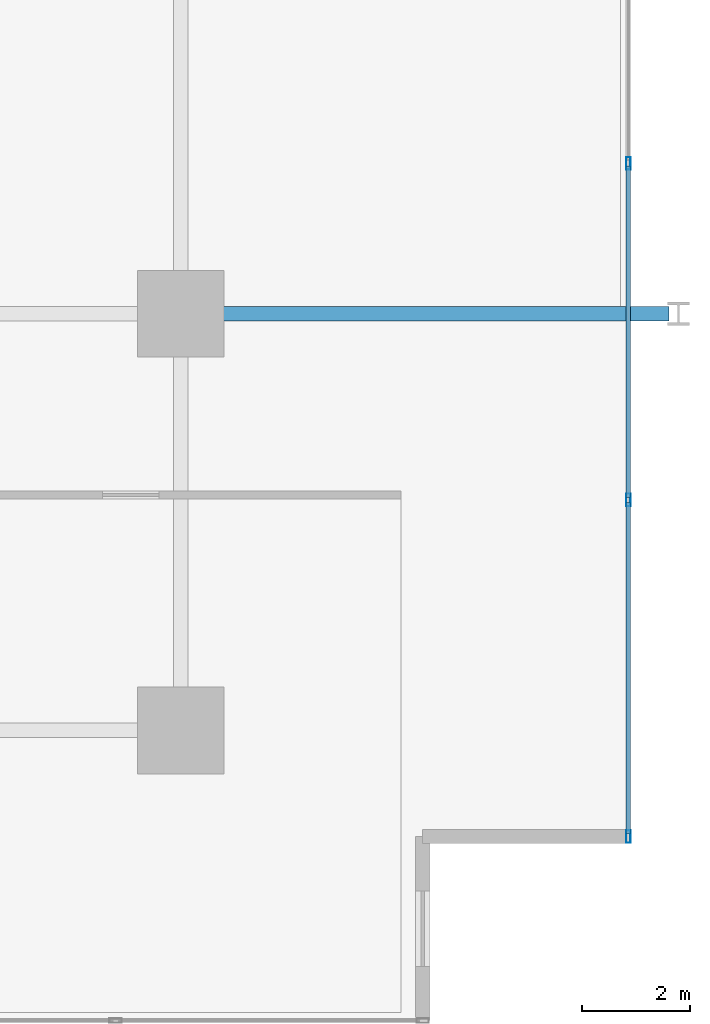
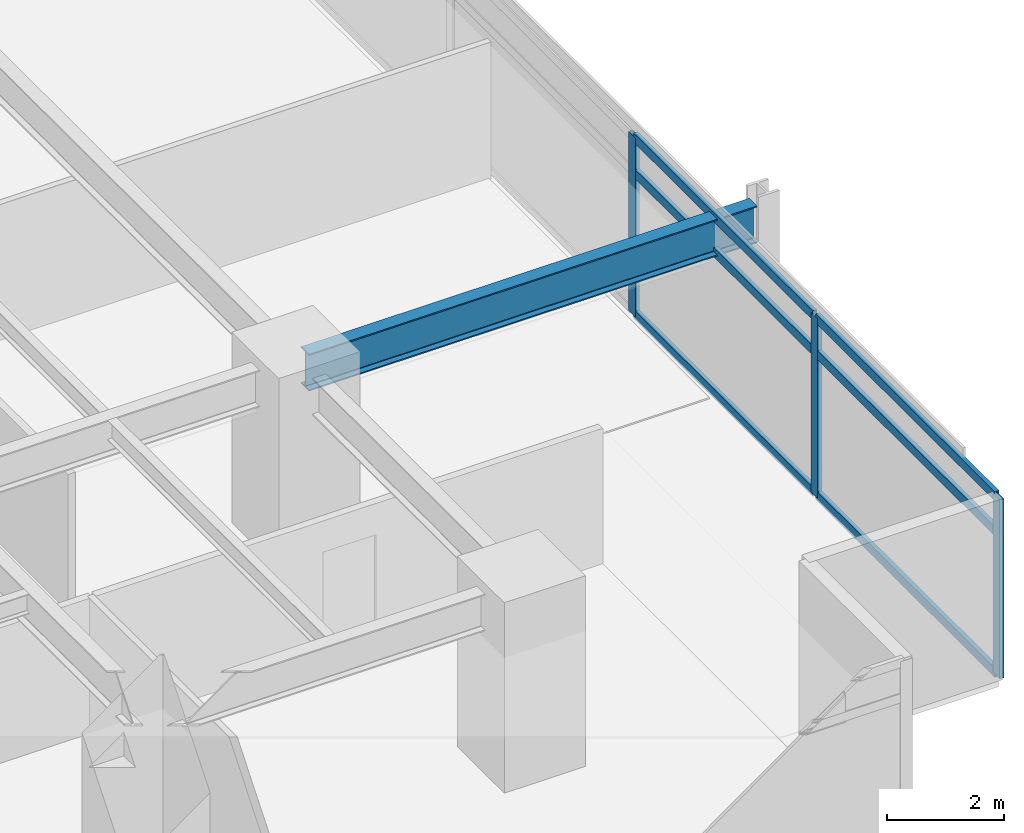
# One storey, part 7 of 20: 9 members, 1 beam, 1 element without a shape of its own.
"""IFC4 building model written with IfcOpenShell, lengths in metres."""

from ifc_helpers import new_model, si_unit, direction, frame, origin, origin_2d, place, context, subcontext, project, spatial, hollow_rectangle, i_section, extrude, material, material_profile, profile_set, type_object, element, aggregate, save


model = new_model("IFC4")

# Units and contexts
model_context = context("Model", 3, precision=1e-05, world=origin(), true_north=direction((0.0, 1.0)))
body_context = subcontext(model_context, "Body", "Model", "MODEL_VIEW")
ifc_project = project(units=[si_unit("LENGTHUNIT", "METRE"), si_unit("AREAUNIT", "SQUARE_METRE"), si_unit("VOLUMEUNIT", "CUBIC_METRE"), si_unit("PLANEANGLEUNIT", "RADIAN"), si_unit("MASSUNIT", "GRAM", prefix="KILO")], contexts=[model_context])

# Site, building, storey
site_placement = place(None, origin())
site = spatial("IfcSite", under=ifc_project, at=site_placement, CompositionType="ELEMENT")
building_placement = place(site_placement, origin())
building = spatial("IfcBuilding", under=site, at=building_placement, Name="Kovane Verandah Tower", CompositionType="ELEMENT")
storey_placement = place(building_placement, frame((0.0, 0.0, 160.39990234375)))
storey = spatial("IfcBuildingStorey", under=building, at=storey_placement, Name="L37", CompositionType="ELEMENT", Elevation=160.39990234375)

# Beam
ifc_material_1 = material(Name="Steel S355", Category="steel")
ifc_material_profile_1 = material_profile(ifc_material_1, i_section(OverallWidth=0.26806640625, OverallDepth=0.769775390625, WebThickness=0.015625, FlangeThickness=0.025390625, FilletRadius=0.0166015625, at=origin_2d()), Name="UB762x267x197")
ifc_profile_set_1 = profile_set([ifc_material_profile_1], Name="Steel S355")
beam_type = type_object("IfcBeamType", Name="BM-UB762x197", PredefinedType="BEAM", material=ifc_profile_set_1)
beam_placement = place(storey_placement, frame((58.580078125, 18.5, 3.375244140625), z_axis=(1.0, 0.0, 0.0), x_axis=(0.0, 1.0, 0.0)))
element("IfcBeam", 1, at=beam_placement, inside=storey, type_object=beam_type, Name="L37 Primary Tower Girder G-VE1", PredefinedType="BEAM", context=body_context, shape_type="SweptSolid", body=[
    extrude(i_section(OverallWidth=0.26806640625, OverallDepth=0.769775390625, WebThickness=0.015625, FlangeThickness=0.025390625, FilletRadius=0.0166015625, at=origin_2d()), origin(), (0.0, 0.0, 1.0), 8.83984375),
])

# Curtain wall, members
ifc_material_2 = material(Name="Champagne Anodised Aluminium Frame with Low-E Clear Laminated Glass", Category="aluminium")
curtain_wall_type = type_object("IfcCurtainWallType", Name="CW-SYS-03-MID", PredefinedType="NOTDEFINED", material=ifc_material_2)
curtain_wall_placement = place(storey_placement, origin())
curtain_wall = element("IfcCurtainWall", 2, at=curtain_wall_placement, inside=storey, type_object=curtain_wall_type, Name="L37 E Unitised Curtain Wall", PredefinedType="NOTDEFINED")
ifc_material_3 = material(Name="Champagne Anodised Aluminium 6063-T6", Category="aluminium")
ifc_material_profile_2 = material_profile(ifc_material_3, hollow_rectangle(XDim=0.0849609375, YDim=0.22998046875, WallThickness=0.00390625, at=origin_2d()), Name="AL85x230x4")
ifc_profile_set_2 = profile_set([ifc_material_profile_2], Name="Champagne Anodised Aluminium 6063-T6")
member_type_1 = type_object("IfcMemberType", Name="CW-MUL-85x230", PredefinedType="MULLION", material=ifc_profile_set_2)
member_1_placement = place(storey_placement, frame((66.67236328125, 8.838623046875, 0.02001953125), z_axis=(0.0, 0.0, 1.0), x_axis=(1.0, 0.0, 0.0)))
member_1 = element("IfcMember", 3, at=member_1_placement, type_object=member_type_1, Name="L37 E Unitised Curtain Wall Mullion 1", PredefinedType="MULLION", context=body_context, shape_type="SweptSolid", body=[
    extrude(hollow_rectangle(XDim=0.0849609375, YDim=0.22998046875, WallThickness=0.00390625, at=origin_2d()), origin(), (0.0, 0.0, 1.0), 3.735107421875),
])
member_2_placement = place(storey_placement, frame((66.67236328125, 15.05908203125, 0.02001953125), z_axis=(0.0, 0.0, 1.0), x_axis=(1.0, 0.0, 0.0)))
member_2 = element("IfcMember", 4, at=member_2_placement, type_object=member_type_1, Name="L37 E Unitised Curtain Wall Mullion 2", PredefinedType="MULLION", context=body_context, shape_type="SweptSolid", body=[
    extrude(hollow_rectangle(XDim=0.0849609375, YDim=0.22998046875, WallThickness=0.00390625, at=origin_2d()), origin(), (0.0, 0.0, 1.0), 3.735107421875),
])
member_3_placement = place(storey_placement, frame((66.67236328125, 21.279541015625, 0.02001953125), z_axis=(0.0, 0.0, 1.0), x_axis=(1.0, 0.0, 0.0)))
member_3 = element("IfcMember", 5, at=member_3_placement, type_object=member_type_1, Name="L37 E Unitised Curtain Wall Mullion 3", PredefinedType="MULLION", context=body_context, shape_type="SweptSolid", body=[
    extrude(hollow_rectangle(XDim=0.0849609375, YDim=0.22998046875, WallThickness=0.00390625, at=origin_2d()), origin(), (0.0, 0.0, 1.0), 3.735107421875),
])
ifc_material_profile_3 = material_profile(ifc_material_3, hollow_rectangle(XDim=0.0849609375, YDim=0.18994140625, WallThickness=0.00390625, at=origin_2d()), Name="AL85x190x4")
ifc_profile_set_3 = profile_set([ifc_material_profile_3], Name="Champagne Anodised Aluminium 6063-T6")
member_type_2 = type_object("IfcMemberType", Name="CW-TRN-85x190", PredefinedType="USERDEFINED", material=ifc_profile_set_3)
member_4_placement = place(storey_placement, frame((66.67236328125, 8.888671875, 0.050048828125), z_axis=(0.0, 1.0, 0.0), x_axis=(-1.0, 0.0, 0.0)))
member_4 = element("IfcMember", 6, at=member_4_placement, type_object=member_type_2, Name="L37 E Unitised Curtain Wall Transom TB Bay 1", ObjectType="TRANSOM", PredefinedType="USERDEFINED", context=body_context, shape_type="SweptSolid", body=[
    extrude(hollow_rectangle(XDim=0.0849609375, YDim=0.18994140625, WallThickness=0.00390625, at=origin_2d()), origin(), (0.0, 0.0, 1.0), 6.120361328125),
])
member_5_placement = place(storey_placement, frame((66.67236328125, 8.888671875, 2.9951171875), z_axis=(0.0, 1.0, 0.0), x_axis=(-1.0, 0.0, 0.0)))
member_5 = element("IfcMember", 7, at=member_5_placement, type_object=member_type_2, Name="L37 E Unitised Curtain Wall Transom TM Bay 1", ObjectType="TRANSOM", PredefinedType="USERDEFINED", context=body_context, shape_type="SweptSolid", body=[
    extrude(hollow_rectangle(XDim=0.0849609375, YDim=0.18994140625, WallThickness=0.00390625, at=origin_2d()), origin(), (0.0, 0.0, 1.0), 6.120361328125),
])
member_6_placement = place(storey_placement, frame((66.67236328125, 8.888671875, 3.72509765625), z_axis=(0.0, 1.0, 0.0), x_axis=(-1.0, 0.0, 0.0)))
member_6 = element("IfcMember", 8, at=member_6_placement, type_object=member_type_2, Name="L37 E Unitised Curtain Wall Transom TT Bay 1", ObjectType="TRANSOM", PredefinedType="USERDEFINED", context=body_context, shape_type="SweptSolid", body=[
    extrude(hollow_rectangle(XDim=0.0849609375, YDim=0.18994140625, WallThickness=0.00390625, at=origin_2d()), origin(), (0.0, 0.0, 1.0), 6.120361328125),
])
member_7_placement = place(storey_placement, frame((66.67236328125, 15.109130859375, 0.050048828125), z_axis=(0.0, 1.0, 0.0), x_axis=(-1.0, 0.0, 0.0)))
member_7 = element("IfcMember", 9, at=member_7_placement, type_object=member_type_2, Name="L37 E Unitised Curtain Wall Transom TB Bay 2", ObjectType="TRANSOM", PredefinedType="USERDEFINED", context=body_context, shape_type="SweptSolid", body=[
    extrude(hollow_rectangle(XDim=0.0849609375, YDim=0.18994140625, WallThickness=0.00390625, at=origin_2d()), origin(), (0.0, 0.0, 1.0), 6.120361328125),
])
member_8_placement = place(storey_placement, frame((66.67236328125, 15.109130859375, 2.9951171875), z_axis=(0.0, 1.0, 0.0), x_axis=(-1.0, 0.0, 0.0)))
member_8 = element("IfcMember", 10, at=member_8_placement, type_object=member_type_2, Name="L37 E Unitised Curtain Wall Transom TM Bay 2", ObjectType="TRANSOM", PredefinedType="USERDEFINED", context=body_context, shape_type="SweptSolid", body=[
    extrude(hollow_rectangle(XDim=0.0849609375, YDim=0.18994140625, WallThickness=0.00390625, at=origin_2d()), origin(), (0.0, 0.0, 1.0), 6.120361328125),
])
member_9_placement = place(storey_placement, frame((66.67236328125, 15.109130859375, 3.72509765625), z_axis=(0.0, 1.0, 0.0), x_axis=(-1.0, 0.0, 0.0)))
member_9 = element("IfcMember", 11, at=member_9_placement, type_object=member_type_2, Name="L37 E Unitised Curtain Wall Transom TT Bay 2", ObjectType="TRANSOM", PredefinedType="USERDEFINED", context=body_context, shape_type="SweptSolid", body=[
    extrude(hollow_rectangle(XDim=0.0849609375, YDim=0.18994140625, WallThickness=0.00390625, at=origin_2d()), origin(), (0.0, 0.0, 1.0), 6.120361328125),
])
aggregate(curtain_wall, [member_1, member_2, member_3, member_4, member_5, member_6, member_7, member_8, member_9])

save(model, "model.ifc")
